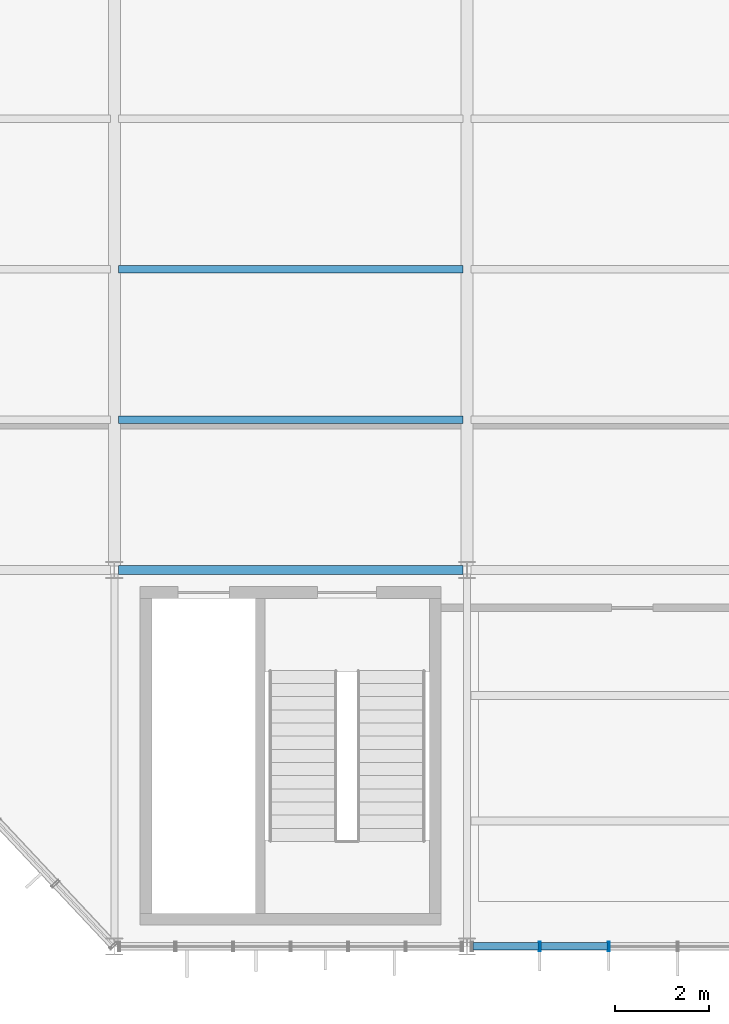
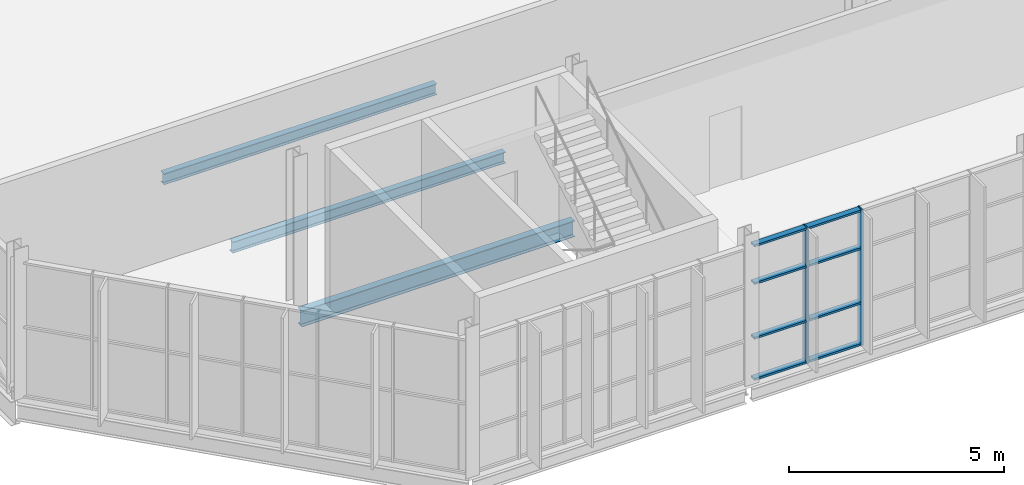
# One storey, part 19 of 324: 10 members, 3 beams, 1 element without a shape of its own.
"""IFC4 building model written with IfcOpenShell, lengths in metres."""

from ifc_helpers import new_model, si_unit, direction, frame, origin, origin_2d, place, context, subcontext, project, spatial, hollow_rectangle, i_section, extrude, material, layer, layer_set, material_profile, profile_set, type_object, element, aggregate, save


model = new_model("IFC4")

# Units and contexts
model_context = context("Model", 3, precision=1e-05, world=origin(), true_north=direction((0.0, 1.0)))
body_context = subcontext(model_context, "Body", "Model", "MODEL_VIEW")
ifc_project = project(units=[si_unit("LENGTHUNIT", "METRE"), si_unit("AREAUNIT", "SQUARE_METRE"), si_unit("VOLUMEUNIT", "CUBIC_METRE"), si_unit("PLANEANGLEUNIT", "RADIAN"), si_unit("MASSUNIT", "GRAM", prefix="KILO")], contexts=[model_context])

# Site, building, storey
site_placement = place(None, origin())
site = spatial("IfcSite", under=ifc_project, at=site_placement, CompositionType="ELEMENT")
building_placement = place(site_placement, origin())
building = spatial("IfcBuilding", under=site, at=building_placement, Name="Solvenia Promenade Tram Depot", CompositionType="ELEMENT")
storey_placement = place(building_placement, frame((0.0, 0.0, 4.5)))
storey = spatial("IfcBuildingStorey", under=building, at=storey_placement, Name="L01", CompositionType="ELEMENT", Elevation=4.5)

# Beam
ifc_material_1 = material(Name="Structural steel ASTM A992 Gr. 50", Category="steel")
ifc_material_profile_1 = material_profile(ifc_material_1, i_section(OverallWidth=0.19091796875, OverallDepth=0.4599609375, WebThickness=0.010009765625, FlangeThickness=0.01611328125, FilletRadius=0.012939453125, at=origin_2d()), Name="W460x82", Category="steel")
ifc_profile_set_1 = profile_set([ifc_material_profile_1], Name="Structural steel ASTM A992 Gr. 50")
beam_type_1 = type_object("IfcBeamType", Name="Beam-W460x82", PredefinedType="BEAM", material=ifc_profile_set_1)
beam_placement = place(storey_placement, frame((7.5849609375, 8.0, -0.449951171875), z_axis=(1.0, 0.0, 0.0), x_axis=(0.0, 1.0, 0.0)))
element("IfcBeam", 1, at=beam_placement, inside=storey, type_object=beam_type_1, Name="Primary Girder BM-L01-0313", PredefinedType="BEAM", context=body_context, shape_type="SweptSolid", body=[
    extrude(i_section(OverallWidth=0.19091796875, OverallDepth=0.4599609375, WebThickness=0.010009765625, FlangeThickness=0.01611328125, FilletRadius=0.012939453125, at=origin_2d()), origin(), (0.0, 0.0, 1.0), 7.330078125),
])

# Curtain wall, members
ifc_material_2 = material(Name="Anodized aluminium AW-6063 T6", Category="aluminium")
ifc_layer = layer(ifc_material_2, 0.179931640625, Name="Anodized aluminium AW-6063 T6", Category="aluminium")
ifc_layer_set = layer_set([ifc_layer], Name="Anodized aluminium AW-6063 T6")
curtain_wall_type = type_object("IfcCurtainWallType", Name="CW-Solar-1500", PredefinedType="NOTDEFINED", material=ifc_layer_set)
curtain_wall_placement = place(storey_placement, origin())
curtain_wall = element("IfcCurtainWall", 2, at=curtain_wall_placement, inside=storey, type_object=curtain_wall_type, Name="Curtain Wall CW-V4S-L01-02", PredefinedType="NOTDEFINED")
ifc_material_profile_2 = material_profile(ifc_material_2, hollow_rectangle(XDim=0.199951171875, YDim=0.048095703125, WallThickness=0.00390625, at=origin_2d()), Name="ALU-M3", Category="aluminium")
ifc_profile_set_2 = profile_set([ifc_material_profile_2], Name="Anodized aluminium AW-6063 T6")
member_type_1 = type_object("IfcMemberType", Name="CWM-Mullion-3", PredefinedType="MULLION", material=ifc_profile_set_2)
member_1_placement = place(storey_placement, frame((16.548095703125, 0.0, 0.0), z_axis=(0.0, 0.0, 1.0), x_axis=(0.0, 1.0, 0.0)))
member_1 = element("IfcMember", 3, at=member_1_placement, type_object=member_type_1, Name="CW-7 mullion 2", PredefinedType="MULLION", context=body_context, shape_type="SweptSolid", body=[
    extrude(hollow_rectangle(XDim=0.199951171875, YDim=0.048095703125, WallThickness=0.00390625, at=origin_2d()), origin(), (0.0, 0.0, 1.0), 3.85009765625),
])
member_2_placement = place(storey_placement, frame((18.01611328125, 0.0, 0.0), z_axis=(0.0, 0.0, 1.0), x_axis=(0.0, 1.0, 0.0)))
member_2 = element("IfcMember", 4, at=member_2_placement, type_object=member_type_1, Name="CW-7 mullion 3", PredefinedType="MULLION", context=body_context, shape_type="SweptSolid", body=[
    extrude(hollow_rectangle(XDim=0.199951171875, YDim=0.048095703125, WallThickness=0.00390625, at=origin_2d()), origin(), (0.0, 0.0, 1.0), 3.85009765625),
])
ifc_material_profile_3 = material_profile(ifc_material_2, hollow_rectangle(XDim=0.159912109375, YDim=0.05810546875, WallThickness=0.00390625, at=origin_2d()), Name="ALU-T3", Category="aluminium")
ifc_profile_set_3 = profile_set([ifc_material_profile_3], Name="Anodized aluminium AW-6063 T6")
member_type_2 = type_object("IfcMemberType", Name="CWT-Transom-3", PredefinedType="USERDEFINED", material=ifc_profile_set_3)
member_3_placement = place(storey_placement, frame((15.1279296875, 0.0, 0.029052734375), z_axis=(1.0, 0.0, 0.0), x_axis=(0.0, 1.0, 0.0)))
member_3 = element("IfcMember", 5, at=member_3_placement, type_object=member_type_2, Name="CW-7 transom 1.1", ObjectType="TRANSOM", PredefinedType="USERDEFINED", context=body_context, shape_type="SweptSolid", body=[
    extrude(hollow_rectangle(XDim=0.159912109375, YDim=0.05810546875, WallThickness=0.00390625, at=origin_2d()), origin(), (0.0, 0.0, 1.0), 1.39599609375),
])
member_4_placement = place(storey_placement, frame((15.1279296875, 0.0, 1.199951171875), z_axis=(1.0, 0.0, 0.0), x_axis=(0.0, 1.0, 0.0)))
member_4 = element("IfcMember", 6, at=member_4_placement, type_object=member_type_2, Name="CW-7 transom 1.2", ObjectType="TRANSOM", PredefinedType="USERDEFINED", context=body_context, shape_type="SweptSolid", body=[
    extrude(hollow_rectangle(XDim=0.159912109375, YDim=0.05810546875, WallThickness=0.00390625, at=origin_2d()), origin(), (0.0, 0.0, 1.0), 1.39599609375),
])
member_5_placement = place(storey_placement, frame((15.1279296875, 0.0, 2.75), z_axis=(1.0, 0.0, 0.0), x_axis=(0.0, 1.0, 0.0)))
member_5 = element("IfcMember", 7, at=member_5_placement, type_object=member_type_2, Name="CW-7 transom 1.3", ObjectType="TRANSOM", PredefinedType="USERDEFINED", context=body_context, shape_type="SweptSolid", body=[
    extrude(hollow_rectangle(XDim=0.159912109375, YDim=0.05810546875, WallThickness=0.00390625, at=origin_2d()), origin(), (0.0, 0.0, 1.0), 1.39599609375),
])
member_6_placement = place(storey_placement, frame((15.1279296875, 0.0, 3.821044921875), z_axis=(1.0, 0.0, 0.0), x_axis=(0.0, 1.0, 0.0)))
member_6 = element("IfcMember", 8, at=member_6_placement, type_object=member_type_2, Name="CW-7 transom 1.4", ObjectType="TRANSOM", PredefinedType="USERDEFINED", context=body_context, shape_type="SweptSolid", body=[
    extrude(hollow_rectangle(XDim=0.159912109375, YDim=0.05810546875, WallThickness=0.00390625, at=origin_2d()), origin(), (0.0, 0.0, 1.0), 1.39599609375),
])
member_7_placement = place(storey_placement, frame((16.572021484375, 0.0, 0.029052734375), z_axis=(1.0, 0.0, 0.0), x_axis=(0.0, 1.0, 0.0)))
member_7 = element("IfcMember", 9, at=member_7_placement, type_object=member_type_2, Name="CW-7 transom 2.1", ObjectType="TRANSOM", PredefinedType="USERDEFINED", context=body_context, shape_type="SweptSolid", body=[
    extrude(hollow_rectangle(XDim=0.159912109375, YDim=0.05810546875, WallThickness=0.00390625, at=origin_2d()), origin(), (0.0, 0.0, 1.0), 1.419921875),
])
member_8_placement = place(storey_placement, frame((16.572021484375, 0.0, 1.199951171875), z_axis=(1.0, 0.0, 0.0), x_axis=(0.0, 1.0, 0.0)))
member_8 = element("IfcMember", 10, at=member_8_placement, type_object=member_type_2, Name="CW-7 transom 2.2", ObjectType="TRANSOM", PredefinedType="USERDEFINED", context=body_context, shape_type="SweptSolid", body=[
    extrude(hollow_rectangle(XDim=0.159912109375, YDim=0.05810546875, WallThickness=0.00390625, at=origin_2d()), origin(), (0.0, 0.0, 1.0), 1.419921875),
])
member_9_placement = place(storey_placement, frame((16.572021484375, 0.0, 2.75), z_axis=(1.0, 0.0, 0.0), x_axis=(0.0, 1.0, 0.0)))
member_9 = element("IfcMember", 11, at=member_9_placement, type_object=member_type_2, Name="CW-7 transom 2.3", ObjectType="TRANSOM", PredefinedType="USERDEFINED", context=body_context, shape_type="SweptSolid", body=[
    extrude(hollow_rectangle(XDim=0.159912109375, YDim=0.05810546875, WallThickness=0.00390625, at=origin_2d()), origin(), (0.0, 0.0, 1.0), 1.419921875),
])
member_10_placement = place(storey_placement, frame((16.572021484375, 0.0, 3.821044921875), z_axis=(1.0, 0.0, 0.0), x_axis=(0.0, 1.0, 0.0)))
member_10 = element("IfcMember", 12, at=member_10_placement, type_object=member_type_2, Name="CW-7 transom 2.4", ObjectType="TRANSOM", PredefinedType="USERDEFINED", context=body_context, shape_type="SweptSolid", body=[
    extrude(hollow_rectangle(XDim=0.159912109375, YDim=0.05810546875, WallThickness=0.00390625, at=origin_2d()), origin(), (0.0, 0.0, 1.0), 1.419921875),
])
aggregate(curtain_wall, [member_1, member_2, member_3, member_4, member_5, member_6, member_7, member_8, member_9, member_10])

# Beams
ifc_material_profile_4 = material_profile(ifc_material_1, i_section(OverallWidth=0.166015625, OverallDepth=0.31298828125, WebThickness=0.006591796875, FlangeThickness=0.01123046875, FilletRadius=0.010009765625, at=origin_2d()), Name="W310x45", Category="steel")
ifc_profile_set_4 = profile_set([ifc_material_profile_4], Name="Structural steel ASTM A992 Gr. 50")
beam_type_2 = type_object("IfcBeamType", Name="Joist-W310x45", PredefinedType="JOIST", material=ifc_profile_set_4)
for number, where, z_axis, x_axis, name in (
    (13, (7.5849609375, 11.199951171875, -0.37646484375), (1.0, 0.0, 0.0), (0.0, 1.0, 0.0), "Secondary Floor Joist BM-L01-0360"),
    (14, (7.5849609375, 14.39990234375, -0.37646484375), (1.0, 0.0, 0.0), (0.0, 1.0, 0.0), "Secondary Floor Joist BM-L01-0361"),
):
    element("IfcBeam", number, at=place(storey_placement, frame(where, z_axis=z_axis, x_axis=x_axis)), inside=storey, type_object=beam_type_2, Name=name, PredefinedType="JOIST", context=body_context, shape_type="SweptSolid", body=[
        extrude(i_section(OverallWidth=0.166015625, OverallDepth=0.31298828125, WebThickness=0.006591796875, FlangeThickness=0.01123046875, FilletRadius=0.010009765625, at=origin_2d()), origin(), (0.0, 0.0, 1.0), 7.330078125),
    ])

save(model, "model.ifc")
